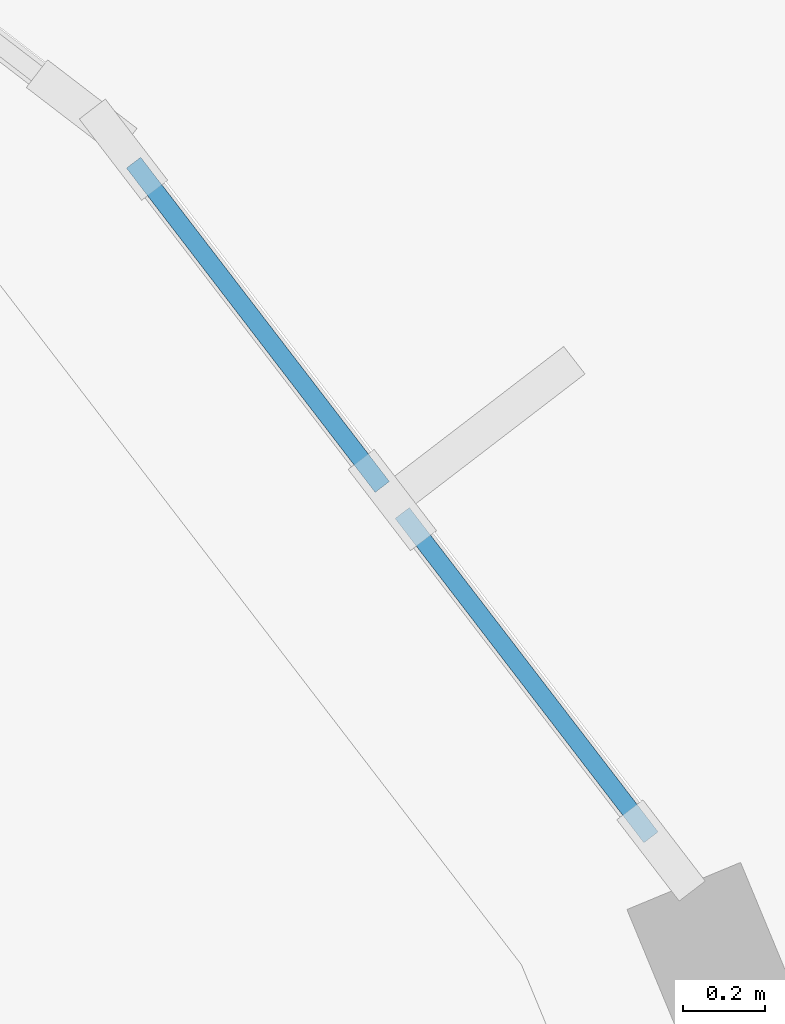
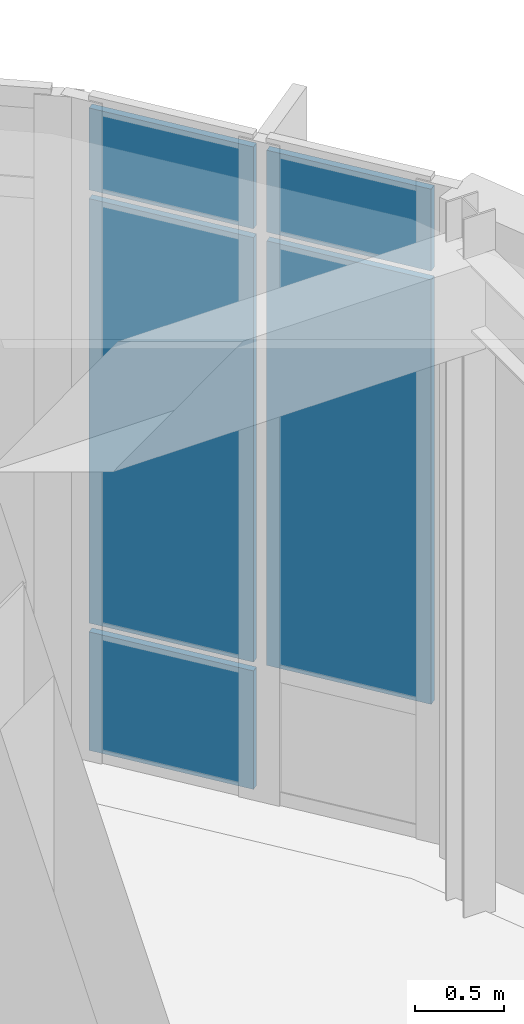
# One storey, part 86 of 120: 5 plates, 1 element without a shape of its own.
"""IFC4 building model written with IfcOpenShell, lengths in metres."""

from ifc_helpers import new_model, si_unit, direction, frame, origin, origin_2d, place, context, subcontext, project, spatial, rectangle, extrude, material, layer, layer_set, type_object, element, aggregate, save


model = new_model("IFC4")

# Units and contexts
model_context = context("Model", 3, precision=1e-05, world=origin(), true_north=direction((0.0, 1.0)))
body_context = subcontext(model_context, "Body", "Model", "MODEL_VIEW")
ifc_project = project(units=[si_unit("LENGTHUNIT", "METRE"), si_unit("AREAUNIT", "SQUARE_METRE"), si_unit("VOLUMEUNIT", "CUBIC_METRE"), si_unit("PLANEANGLEUNIT", "RADIAN"), si_unit("MASSUNIT", "GRAM", prefix="KILO")], contexts=[model_context])

# Site, building, storey
site_placement = place(None, origin())
site = spatial("IfcSite", under=ifc_project, at=site_placement, CompositionType="ELEMENT")
building_placement = place(site_placement, origin())
building = spatial("IfcBuilding", under=site, at=building_placement, Name="Corveleigh Park Community Centre", CompositionType="ELEMENT")
storey_placement = place(building_placement, origin())
storey = spatial("IfcBuildingStorey", under=building, at=storey_placement, Name="L00", CompositionType="ELEMENT", Elevation=0.0)

# Curtain wall, plates
ifc_material_1 = material(Name="Anodised aluminium 6063-T6", Category="aluminium")
curtain_wall_type = type_object("IfcCurtainWallType", Name="CW-SYS-V4-L00", PredefinedType="NOTDEFINED", material=ifc_material_1)
curtain_wall_placement = place(storey_placement, origin())
curtain_wall = element("IfcCurtainWall", 1, at=curtain_wall_placement, inside=storey, type_object=curtain_wall_type, Name="V4 L00 Curtain Wall 131", PredefinedType="NOTDEFINED")
ifc_material_2 = material(Name="Low-E double glazing", Category="glass")
ifc_layer = layer(ifc_material_2, 0.0439453125, Name="Low-E double glazing", Category="glass")
ifc_layer_set = layer_set([ifc_layer], Name="Low-E double glazing")
plate_type = type_object("IfcPlateType", Name="CWP-GLZ-44", PredefinedType="CURTAIN_PANEL", material=ifc_layer_set)
plate_1_placement = place(storey_placement, frame((167.59423828125, 106.138916015625, 0.06005859375), z_axis=(0.0, 0.0, 1.0), x_axis=(0.608628822511, -0.79345507523, 0.0)))
plate_1 = element("IfcPlate", 2, at=plate_1_placement, type_object=plate_type, Name="CW07 panel 1.1", PredefinedType="CURTAIN_PANEL", context=body_context, shape_type="SweptSolid", body=[
    extrude(rectangle(XDim=0.997314453125, YDim=0.0439453125, at=origin_2d()), origin(), (0.0, 0.0, 1.0), 0.81005859375),
])
plate_2_placement = place(storey_placement, frame((167.59423828125, 106.138916015625, 0.93017578125), z_axis=(0.0, 0.0, 1.0), x_axis=(0.608628822511, -0.79345507523, 0.0)))
plate_2 = element("IfcPlate", 3, at=plate_2_placement, type_object=plate_type, Name="CW07 panel 1.2", PredefinedType="CURTAIN_PANEL", context=body_context, shape_type="SweptSolid", body=[
    extrude(rectangle(XDim=0.997314453125, YDim=0.0439453125, at=origin_2d()), origin(), (0.0, 0.0, 1.0), 2.902099609375),
])
plate_3_placement = place(storey_placement, frame((167.59423828125, 106.138916015625, 3.89208984375), z_axis=(0.0, 0.0, 1.0), x_axis=(0.608628822511, -0.79345507523, 0.0)))
plate_3 = element("IfcPlate", 4, at=plate_3_placement, type_object=plate_type, Name="CW07 panel 1.3", PredefinedType="CURTAIN_PANEL", context=body_context, shape_type="SweptSolid", body=[
    extrude(rectangle(XDim=0.997314453125, YDim=0.0439453125, at=origin_2d()), origin(), (0.0, 0.0, 1.0), 0.56005859375),
])
plate_4_placement = place(storey_placement, frame((168.249755859375, 105.2841796875, 0.93017578125), z_axis=(0.0, 0.0, 1.0), x_axis=(0.608628822511, -0.79345507523, 0.0)))
plate_4 = element("IfcPlate", 5, at=plate_4_placement, type_object=plate_type, Name="CW07 panel 2.2", PredefinedType="CURTAIN_PANEL", context=body_context, shape_type="SweptSolid", body=[
    extrude(rectangle(XDim=0.997314453125, YDim=0.0439453125, at=origin_2d()), origin(), (0.0, 0.0, 1.0), 2.902099609375),
])
plate_5_placement = place(storey_placement, frame((168.249755859375, 105.2841796875, 3.89208984375), z_axis=(0.0, 0.0, 1.0), x_axis=(0.608628822511, -0.79345507523, 0.0)))
plate_5 = element("IfcPlate", 6, at=plate_5_placement, type_object=plate_type, Name="CW07 panel 2.3", PredefinedType="CURTAIN_PANEL", context=body_context, shape_type="SweptSolid", body=[
    extrude(rectangle(XDim=0.997314453125, YDim=0.0439453125, at=origin_2d()), origin(), (0.0, 0.0, 1.0), 0.56005859375),
])
aggregate(curtain_wall, [plate_1, plate_2, plate_3, plate_4, plate_5])

save(model, "model.ifc")
